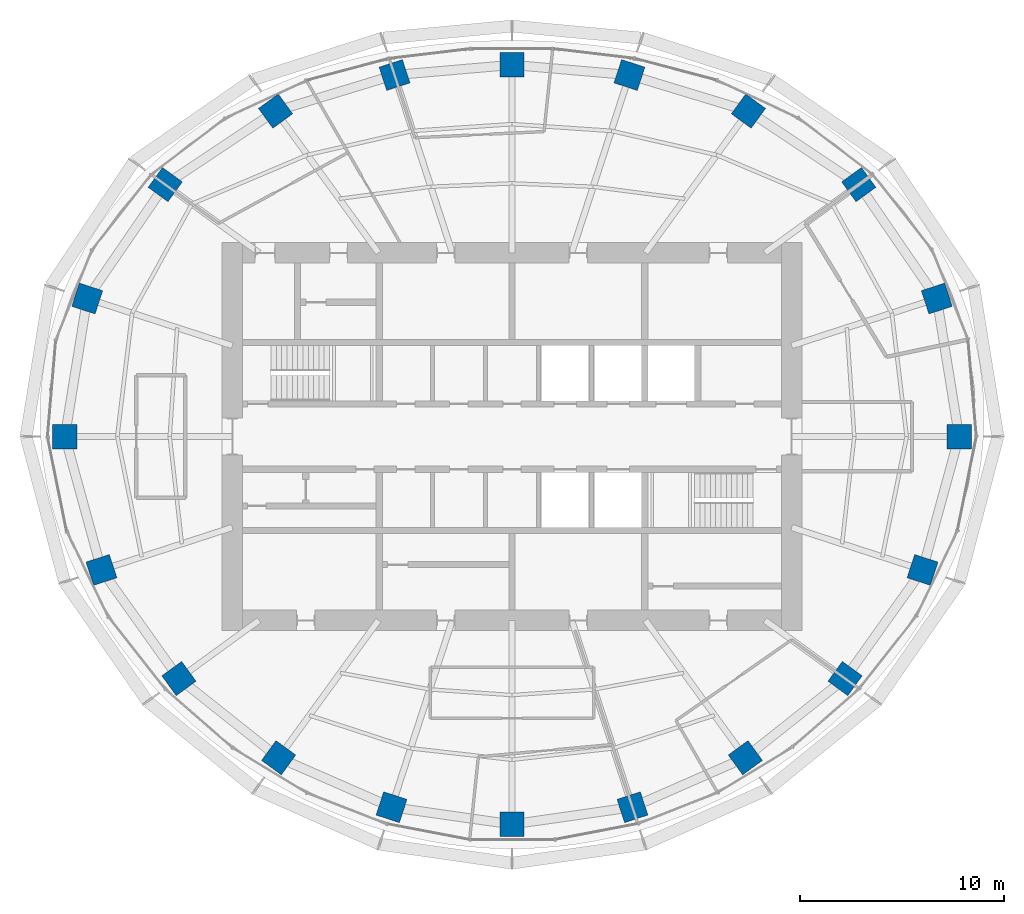
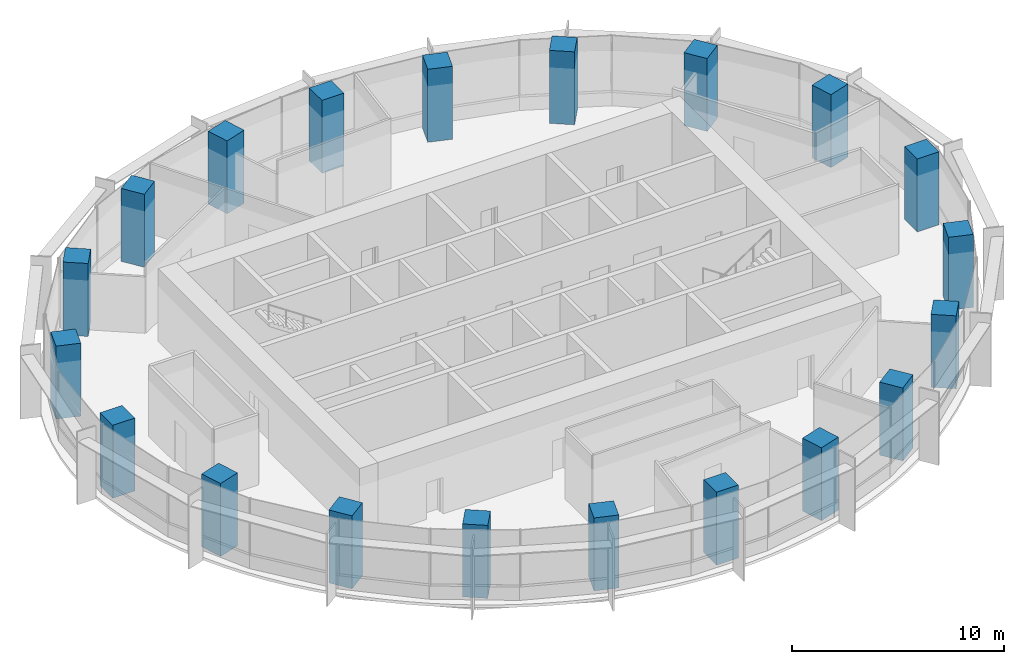
# One storey, part 1 of 13: 20 columns.
"""IFC4 building model written with IfcOpenShell, lengths in metres."""

from ifc_helpers import new_model, si_unit, direction, frame, origin, origin_2d, place, context, subcontext, project, spatial, rectangle, extrude, material, material_profile, profile_set, type_object, element, save


model = new_model("IFC4")

# Units and contexts
model_context = context("Model", 3, precision=1e-05, world=origin(), true_north=direction((0.0, 1.0)))
body_context = subcontext(model_context, "Body", "Model", "MODEL_VIEW")
ifc_project = project(units=[si_unit("LENGTHUNIT", "METRE"), si_unit("AREAUNIT", "SQUARE_METRE"), si_unit("VOLUMEUNIT", "CUBIC_METRE"), si_unit("PLANEANGLEUNIT", "RADIAN"), si_unit("MASSUNIT", "GRAM", prefix="KILO")], contexts=[model_context])

# Site, building, storey
site_placement = place(None, origin())
site = spatial("IfcSite", under=ifc_project, at=site_placement, CompositionType="ELEMENT")
building_placement = place(site_placement, origin())
building = spatial("IfcBuilding", under=site, at=building_placement, Name="Marramba Exchange Tower", CompositionType="ELEMENT")
storey_placement = place(building_placement, frame((0.0, 0.0, 260.199951171875)))
storey = spatial("IfcBuildingStorey", under=building, at=storey_placement, Name="L63", CompositionType="ELEMENT", Elevation=260.199951171875)

# Columns
ifc_material = material(Name="Concrete N50", Category="concrete")
ifc_material_profile = material_profile(ifc_material, rectangle(XDim=1.199951171875, YDim=1.199951171875, at=origin_2d()), Name="RC 1200x1200")
ifc_profile_set = profile_set([ifc_material_profile], Name="Concrete N50")
column_type = type_object("IfcColumnType", Name="Perimeter column RC 1200x1200 N50", PredefinedType="COLUMN", material=ifc_profile_set)
for number, where, z_axis, x_axis, name in (
    (1, (21.89990234375, 0.0, 0.0), (0.0, 0.0, 1.0), (1.0, 0.0, 0.0), "Column TC01 L63"),
    (2, (20.808349609375, 6.760986328125, 0.0), (0.0, 0.0, 1.0), (0.951056516295, 0.309016994375, 0.0), "Column TC02 L63"),
    (3, (16.98583984375, 12.3408203125, 0.0), (0.0, 0.0, 1.0), (0.809016994375, 0.587785252292, 0.0), "Column TC03 L63"),
    (4, (11.581298828125, 15.9404296875, 0.0), (0.0, 0.0, 1.0), (0.587785252292, 0.809016994375, 0.0), "Column TC04 L63"),
    (5, (5.75390625, 17.70849609375, 0.0), (0.0, 0.0, 1.0), (0.309016994375, 0.951056516295, 0.0), "Column TC05 L63"),
    (6, (0.0, 18.2041015625, 0.0), (0.0, 0.0, 1.0), (0.0, 1.0, 0.0), "Column TC06 L63"),
    (7, (-5.75390625, 17.70849609375, 0.0), (0.0, 0.0, 1.0), (-0.309016994375, 0.951056516295, 0.0), "Column TC07 L63"),
    (8, (-11.581298828125, 15.9404296875, 0.0), (0.0, 0.0, 1.0), (-0.587785252292, 0.809016994375, 0.0), "Column TC08 L63"),
    (9, (-16.98583984375, 12.3408203125, 0.0), (0.0, 0.0, 1.0), (-0.809016994375, 0.587785252292, 0.0), "Column TC09 L63"),
    (10, (-20.808349609375, 6.760986328125, 0.0), (0.0, 0.0, 1.0), (-0.951056516295, 0.309016994375, 0.0), "Column TC10 L63"),
    (11, (-21.89990234375, 0.0, 0.0), (0.0, 0.0, 1.0), (-1.0, 0.0, 0.0), "Column TC11 L63"),
    (12, (-20.109375, -6.533935546875, 0.0), (0.0, 0.0, 1.0), (-0.951056516295, -0.309016994375, 0.0), "Column TC12 L63"),
    (13, (-16.3154296875, -11.853759765625, 0.0), (0.0, 0.0, 1.0), (-0.809016994375, -0.587785252292, 0.0), "Column TC13 L63"),
    (14, (-11.430419921875, -15.732666015625, 0.0), (0.0, 0.0, 1.0), (-0.587785252292, -0.809016994375, 0.0), "Column TC14 L63"),
    (15, (-5.899658203125, -18.156982421875, 0.0), (0.0, 0.0, 1.0), (-0.309016994375, -0.951056516295, 0.0), "Column TC15 L63"),
    (16, (0.0, -18.99609375, 0.0), (0.0, 0.0, 1.0), (0.0, -1.0, 0.0), "Column TC16 L63"),
    (17, (5.899658203125, -18.156982421875, 0.0), (0.0, 0.0, 1.0), (0.309016994375, -0.951056516295, 0.0), "Column TC17 L63"),
    (18, (11.430419921875, -15.732666015625, 0.0), (0.0, 0.0, 1.0), (0.587785252292, -0.809016994375, 0.0), "Column TC18 L63"),
    (19, (16.3154296875, -11.853759765625, 0.0), (0.0, 0.0, 1.0), (0.809016994375, -0.587785252292, 0.0), "Column TC19 L63"),
    (20, (20.109375, -6.533935546875, 0.0), (0.0, 0.0, 1.0), (0.951056516295, -0.309016994375, 0.0), "Column TC20 L63"),
):
    element("IfcColumn", number, at=place(storey_placement, frame(where, z_axis=z_axis, x_axis=x_axis)), inside=storey, type_object=column_type, Name=name, PredefinedType="COLUMN", context=body_context, shape_type="SweptSolid", body=[
        extrude(rectangle(XDim=1.199951171875, YDim=1.199951171875, at=origin_2d()), origin(), (0.0, 0.0, 1.0), 4.199951171875),
    ])

save(model, "model.ifc")
